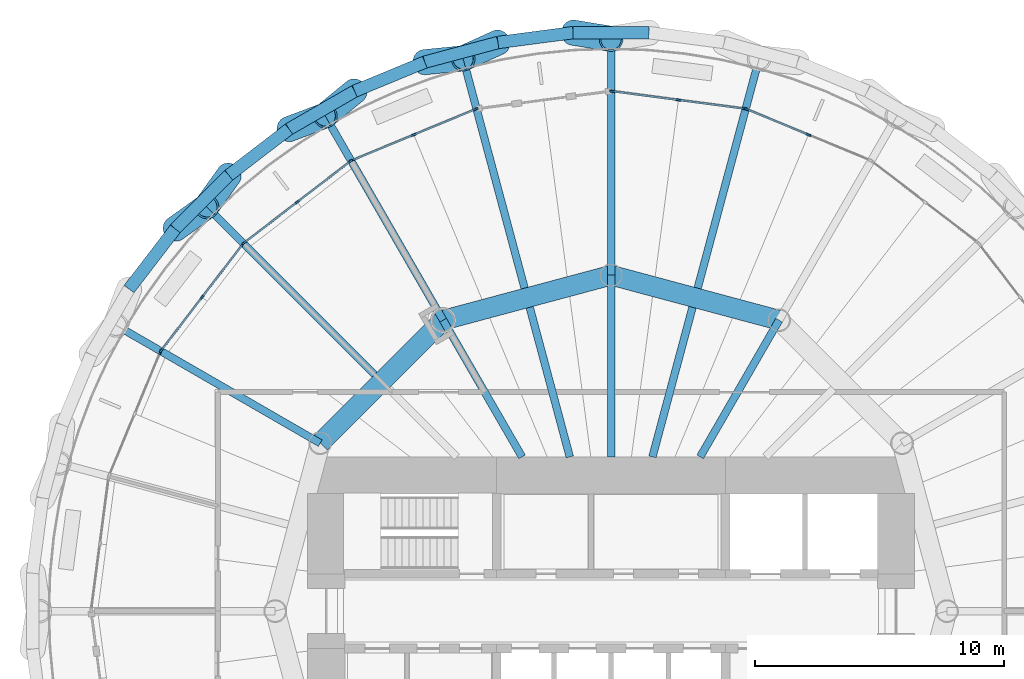
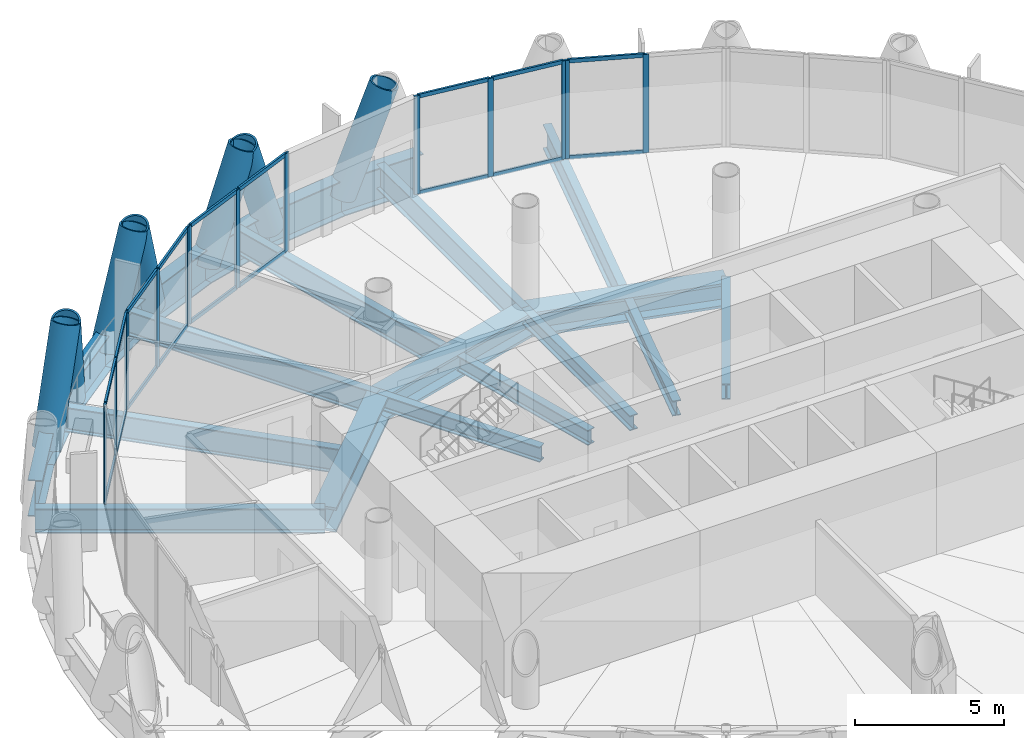
# One storey, part 6 of 14: 40 members, 22 beams, 6 elements without a shape of their own.
"""IFC4 building model written with IfcOpenShell, lengths in metres."""

from ifc_helpers import new_model, si_unit, direction, frame, origin, origin_2d, place, context, subcontext, project, spatial, rectangle, hollow_circle, i_section, extrude, material, material_profile, profile_set, type_object, element, aggregate, save


model = new_model("IFC4")

# Units and contexts
model_context = context("Model", 3, precision=1e-05, world=origin(), true_north=direction((0.0, 1.0)))
body_context = subcontext(model_context, "Body", "Model", "MODEL_VIEW")
ifc_project = project(units=[si_unit("LENGTHUNIT", "METRE"), si_unit("AREAUNIT", "SQUARE_METRE"), si_unit("VOLUMEUNIT", "CUBIC_METRE"), si_unit("PLANEANGLEUNIT", "RADIAN"), si_unit("MASSUNIT", "GRAM", prefix="KILO")], contexts=[model_context])

# Site, building, storey
site_placement = place(None, origin())
site = spatial("IfcSite", under=ifc_project, at=site_placement, CompositionType="ELEMENT")
building_placement = place(site_placement, origin())
building = spatial("IfcBuilding", under=site, at=building_placement, Name="Qaws Media Tower", CompositionType="ELEMENT")
storey_placement = place(building_placement, frame((0.0, 0.0, 206.60009765625)))
storey = spatial("IfcBuildingStorey", under=building, at=storey_placement, Name="L47", CompositionType="ELEMENT", Elevation=206.60009765625)

# Curtain wall, members
ifc_material_1 = material(Name="Aluminium and clear glass", Category="aluminium")
curtain_wall_type = type_object("IfcCurtainWallType", Name="Unitised curtain wall CW-C", PredefinedType="NOTDEFINED", material=ifc_material_1)
curtain_wall_1_placement = place(storey_placement, origin())
curtain_wall_1 = element("IfcCurtainWall", 1, at=curtain_wall_1_placement, inside=storey, type_object=curtain_wall_type, Name="CWC curtain wall L47-05", PredefinedType="NOTDEFINED")
ifc_material_2 = material(Name="Aluminium mullion", Category="aluminium")
ifc_material_profile_1 = material_profile(ifc_material_2, rectangle(XDim=0.080078125, YDim=0.199951171875, at=origin_2d()), Name="80x200")
ifc_profile_set_1 = profile_set([ifc_material_profile_1], Name="Aluminium mullion")
member_type_1 = type_object("IfcMemberType", Name="Curtain wall mullion 80x200", PredefinedType="MULLION", material=ifc_profile_set_1)
member_1_placement = place(storey_placement, frame((67.9296875, 69.143798828125, 0.0), z_axis=(0.0, 0.0, 1.0), x_axis=(-0.382683456149, -0.92387952266, 0.0)))
member_1 = element("IfcMember", 2, at=member_1_placement, type_object=member_type_1, Name="CWC mullion 2", PredefinedType="MULLION", context=body_context, shape_type="SweptSolid", body=[
    extrude(rectangle(XDim=0.080078125, YDim=0.199951171875, at=origin_2d()), origin(), (0.0, 0.0, 1.0), 4.039794921875),
])
member_2_placement = place(storey_placement, frame((65.4462890625, 70.172607421875, 0.0), z_axis=(0.0, 0.0, 1.0), x_axis=(-0.382683456149, -0.92387952266, 0.0)))
member_2 = element("IfcMember", 3, at=member_2_placement, type_object=member_type_1, Name="CWC mullion 3", PredefinedType="MULLION", context=body_context, shape_type="SweptSolid", body=[
    extrude(rectangle(XDim=0.080078125, YDim=0.199951171875, at=origin_2d()), origin(), (0.0, 0.0, 1.0), 4.039794921875),
])

curtain_wall_2_placement = place(storey_placement, origin())
curtain_wall_2 = element("IfcCurtainWall", 4, at=curtain_wall_2_placement, inside=storey, type_object=curtain_wall_type, Name="CWC curtain wall L47-06", PredefinedType="NOTDEFINED")
member_3_placement = place(storey_placement, frame((65.36962890625, 70.193115234375, 0.0), z_axis=(0.0, 0.0, 1.0), x_axis=(-0.130526151694, -0.991444866709, 0.0)))
member_3 = element("IfcMember", 5, at=member_3_placement, type_object=member_type_1, Name="CWC mullion 1", PredefinedType="MULLION", context=body_context, shape_type="SweptSolid", body=[
    extrude(rectangle(XDim=0.080078125, YDim=0.199951171875, at=origin_2d()), origin(), (0.0, 0.0, 1.0), 4.039794921875),
])
member_4_placement = place(storey_placement, frame((62.70458984375, 70.5439453125, 0.0), z_axis=(0.0, 0.0, 1.0), x_axis=(-0.130526151694, -0.991444866709, 0.0)))
member_4 = element("IfcMember", 6, at=member_4_placement, type_object=member_type_1, Name="CWC mullion 2", PredefinedType="MULLION", context=body_context, shape_type="SweptSolid", body=[
    extrude(rectangle(XDim=0.080078125, YDim=0.199951171875, at=origin_2d()), origin(), (0.0, 0.0, 1.0), 4.039794921875),
])
member_5_placement = place(storey_placement, frame((60.03955078125, 70.894775390625, 0.0), z_axis=(0.0, 0.0, 1.0), x_axis=(-0.130526151694, -0.991444866709, 0.0)))
member_5 = element("IfcMember", 7, at=member_5_placement, type_object=member_type_1, Name="CWC mullion 3", PredefinedType="MULLION", context=body_context, shape_type="SweptSolid", body=[
    extrude(rectangle(XDim=0.080078125, YDim=0.199951171875, at=origin_2d()), origin(), (0.0, 0.0, 1.0), 4.039794921875),
])

curtain_wall_3_placement = place(storey_placement, origin())
curtain_wall_3 = element("IfcCurtainWall", 8, at=curtain_wall_3_placement, inside=storey, type_object=curtain_wall_type, Name="CWC curtain wall L47-08", PredefinedType="NOTDEFINED")
member_6_placement = place(storey_placement, frame((54.5537109375, 70.172607421875, 0.0), z_axis=(0.0, 0.0, 1.0), x_axis=(0.382683456149, -0.92387952266, 0.0)))
member_6 = element("IfcMember", 9, at=member_6_placement, type_object=member_type_1, Name="CWC mullion 1", PredefinedType="MULLION", context=body_context, shape_type="SweptSolid", body=[
    extrude(rectangle(XDim=0.080078125, YDim=0.199951171875, at=origin_2d()), origin(), (0.0, 0.0, 1.0), 4.039794921875),
])
member_7_placement = place(storey_placement, frame((52.0703125, 69.143798828125, 0.0), z_axis=(0.0, 0.0, 1.0), x_axis=(0.382683456149, -0.92387952266, 0.0)))
member_7 = element("IfcMember", 10, at=member_7_placement, type_object=member_type_1, Name="CWC mullion 2", PredefinedType="MULLION", context=body_context, shape_type="SweptSolid", body=[
    extrude(rectangle(XDim=0.080078125, YDim=0.199951171875, at=origin_2d()), origin(), (0.0, 0.0, 1.0), 4.039794921875),
])
member_8_placement = place(storey_placement, frame((49.5869140625, 68.115234375, 0.0), z_axis=(0.0, 0.0, 1.0), x_axis=(0.382683456149, -0.92387952266, 0.0)))
member_8 = element("IfcMember", 11, at=member_8_placement, type_object=member_type_1, Name="CWC mullion 3", PredefinedType="MULLION", context=body_context, shape_type="SweptSolid", body=[
    extrude(rectangle(XDim=0.080078125, YDim=0.199951171875, at=origin_2d()), origin(), (0.0, 0.0, 1.0), 4.039794921875),
])

curtain_wall_4_placement = place(storey_placement, origin())
curtain_wall_4 = element("IfcCurtainWall", 12, at=curtain_wall_4_placement, inside=storey, type_object=curtain_wall_type, Name="CWC curtain wall L47-09", PredefinedType="NOTDEFINED")
member_9_placement = place(storey_placement, frame((49.518310546875, 68.07568359375, 0.0), z_axis=(0.0, 0.0, 1.0), x_axis=(0.608761380338, -0.793353377638, 0.0)))
member_9 = element("IfcMember", 13, at=member_9_placement, type_object=member_type_1, Name="CWC mullion 1", PredefinedType="MULLION", context=body_context, shape_type="SweptSolid", body=[
    extrude(rectangle(XDim=0.080078125, YDim=0.199951171875, at=origin_2d()), origin(), (0.0, 0.0, 1.0), 4.039794921875),
])
member_10_placement = place(storey_placement, frame((47.3857421875, 66.439208984375, 0.0), z_axis=(0.0, 0.0, 1.0), x_axis=(0.608761380338, -0.793353377638, 0.0)))
member_10 = element("IfcMember", 14, at=member_10_placement, type_object=member_type_1, Name="CWC mullion 2", PredefinedType="MULLION", context=body_context, shape_type="SweptSolid", body=[
    extrude(rectangle(XDim=0.080078125, YDim=0.199951171875, at=origin_2d()), origin(), (0.0, 0.0, 1.0), 4.039794921875),
])
member_11_placement = place(storey_placement, frame((45.253173828125, 64.802978515625, 0.0), z_axis=(0.0, 0.0, 1.0), x_axis=(0.608761380338, -0.793353377638, 0.0)))
member_11 = element("IfcMember", 15, at=member_11_placement, type_object=member_type_1, Name="CWC mullion 3", PredefinedType="MULLION", context=body_context, shape_type="SweptSolid", body=[
    extrude(rectangle(XDim=0.080078125, YDim=0.199951171875, at=origin_2d()), origin(), (0.0, 0.0, 1.0), 4.039794921875),
])

curtain_wall_5_placement = place(storey_placement, origin())
curtain_wall_5 = element("IfcCurtainWall", 16, at=curtain_wall_5_placement, inside=storey, type_object=curtain_wall_type, Name="CWC curtain wall L47-10", PredefinedType="NOTDEFINED")
member_12_placement = place(storey_placement, frame((45.197021484375, 64.746826171875, 0.0), z_axis=(0.0, 0.0, 1.0), x_axis=(0.793353377638, -0.608761380338, 0.0)))
member_12 = element("IfcMember", 17, at=member_12_placement, type_object=member_type_1, Name="CWC mullion 1", PredefinedType="MULLION", context=body_context, shape_type="SweptSolid", body=[
    extrude(rectangle(XDim=0.080078125, YDim=0.199951171875, at=origin_2d()), origin(), (0.0, 0.0, 1.0), 4.039794921875),
])
member_13_placement = place(storey_placement, frame((43.560791015625, 62.6142578125, 0.0), z_axis=(0.0, 0.0, 1.0), x_axis=(0.793353377638, -0.608761380338, 0.0)))
member_13 = element("IfcMember", 18, at=member_13_placement, type_object=member_type_1, Name="CWC mullion 2", PredefinedType="MULLION", context=body_context, shape_type="SweptSolid", body=[
    extrude(rectangle(XDim=0.080078125, YDim=0.199951171875, at=origin_2d()), origin(), (0.0, 0.0, 1.0), 4.039794921875),
])
member_14_placement = place(storey_placement, frame((41.92431640625, 60.481689453125, 0.0), z_axis=(0.0, 0.0, 1.0), x_axis=(0.793353377638, -0.608761380338, 0.0)))
member_14 = element("IfcMember", 19, at=member_14_placement, type_object=member_type_1, Name="CWC mullion 3", PredefinedType="MULLION", context=body_context, shape_type="SweptSolid", body=[
    extrude(rectangle(XDim=0.080078125, YDim=0.199951171875, at=origin_2d()), origin(), (0.0, 0.0, 1.0), 4.039794921875),
])

# Curtain wall, member
curtain_wall_6_placement = place(storey_placement, origin())
curtain_wall_6 = element("IfcCurtainWall", 20, at=curtain_wall_6_placement, inside=storey, type_object=curtain_wall_type, Name="CWC curtain wall L47-11", PredefinedType="NOTDEFINED")
member_15_placement = place(storey_placement, frame((41.884765625, 60.4130859375, 0.0), z_axis=(0.0, 0.0, 1.0), x_axis=(0.92387952266, -0.382683456149, 0.0)))
member_15 = element("IfcMember", 21, at=member_15_placement, type_object=member_type_1, Name="CWC mullion 1", PredefinedType="MULLION", context=body_context, shape_type="SweptSolid", body=[
    extrude(rectangle(XDim=0.080078125, YDim=0.199951171875, at=origin_2d()), origin(), (0.0, 0.0, 1.0), 4.039794921875),
])
aggregate(curtain_wall_6, [member_15])

# Member
ifc_material_3 = material(Name="Aluminium transom", Category="aluminium")
ifc_material_profile_2 = material_profile(ifc_material_3, rectangle(XDim=0.080078125, YDim=0.159912109375, at=origin_2d()), Name="80x160")
ifc_profile_set_2 = profile_set([ifc_material_profile_2], Name="Aluminium transom")
member_type_2 = type_object("IfcMemberType", Name="Curtain wall transom 80x160", PredefinedType="USERDEFINED", material=ifc_profile_set_2)
member_16_placement = place(storey_placement, frame((67.892822265625, 69.1591796875, 0.039794921875), z_axis=(-0.923889058869, 0.382660432893, 0.0), x_axis=(-0.382660432893, -0.923889058869, 0.0)))
member_16 = element("IfcMember", 22, at=member_16_placement, type_object=member_type_2, Name="CWC transom 2.1", ObjectType="TRANSOM", PredefinedType="USERDEFINED", context=body_context, shape_type="SweptSolid", body=[
    extrude(rectangle(XDim=0.080078125, YDim=0.159912109375, at=origin_2d()), origin(), (0.0, 0.0, 1.0), 2.608154296875),
])

member_17_placement = place(storey_placement, frame((67.892822265625, 69.1591796875, 4.0), z_axis=(-0.923889058869, 0.382660432893, 0.0), x_axis=(-0.382660432893, -0.923889058869, 0.0)))
member_17 = element("IfcMember", 23, at=member_17_placement, type_object=member_type_2, Name="CWC transom 2.2", ObjectType="TRANSOM", PredefinedType="USERDEFINED", context=body_context, shape_type="SweptSolid", body=[
    extrude(rectangle(XDim=0.080078125, YDim=0.159912109375, at=origin_2d()), origin(), (0.0, 0.0, 1.0), 2.608154296875),
])

aggregate(curtain_wall_1, [member_1, member_2, member_16, member_17])

member_18_placement = place(storey_placement, frame((65.330078125, 70.1982421875, 0.039794921875), z_axis=(-0.991436762367, 0.130587695544, 0.0), x_axis=(-0.130587695544, -0.991436762367, 0.0)))
member_18 = element("IfcMember", 24, at=member_18_placement, type_object=member_type_2, Name="CWC transom 1.1", ObjectType="TRANSOM", PredefinedType="USERDEFINED", context=body_context, shape_type="SweptSolid", body=[
    extrude(rectangle(XDim=0.080078125, YDim=0.159912109375, at=origin_2d()), origin(), (0.0, 0.0, 1.0), 2.60791015625),
])

member_19_placement = place(storey_placement, frame((65.330078125, 70.1982421875, 4.0), z_axis=(-0.991436762367, 0.130587695544, 0.0), x_axis=(-0.130587695544, -0.991436762367, 0.0)))
member_19 = element("IfcMember", 25, at=member_19_placement, type_object=member_type_2, Name="CWC transom 1.2", ObjectType="TRANSOM", PredefinedType="USERDEFINED", context=body_context, shape_type="SweptSolid", body=[
    extrude(rectangle(XDim=0.080078125, YDim=0.159912109375, at=origin_2d()), origin(), (0.0, 0.0, 1.0), 2.60791015625),
])

member_20_placement = place(storey_placement, frame((62.6650390625, 70.549072265625, 0.039794921875), z_axis=(-0.991436762367, 0.130587695544, 0.0), x_axis=(-0.130587695544, -0.991436762367, 0.0)))
member_20 = element("IfcMember", 26, at=member_20_placement, type_object=member_type_2, Name="CWC transom 2.1", ObjectType="TRANSOM", PredefinedType="USERDEFINED", context=body_context, shape_type="SweptSolid", body=[
    extrude(rectangle(XDim=0.080078125, YDim=0.159912109375, at=origin_2d()), origin(), (0.0, 0.0, 1.0), 2.60791015625),
])

member_21_placement = place(storey_placement, frame((62.6650390625, 70.549072265625, 4.0), z_axis=(-0.991436762367, 0.130587695544, 0.0), x_axis=(-0.130587695544, -0.991436762367, 0.0)))
member_21 = element("IfcMember", 27, at=member_21_placement, type_object=member_type_2, Name="CWC transom 2.2", ObjectType="TRANSOM", PredefinedType="USERDEFINED", context=body_context, shape_type="SweptSolid", body=[
    extrude(rectangle(XDim=0.080078125, YDim=0.159912109375, at=origin_2d()), origin(), (0.0, 0.0, 1.0), 2.60791015625),
])

aggregate(curtain_wall_2, [member_3, member_4, member_5, member_18, member_19, member_20, member_21])

member_22_placement = place(storey_placement, frame((54.516845703125, 70.1572265625, 0.039794921875), z_axis=(-0.923889058869, -0.382660432893, 0.0), x_axis=(0.382660432893, -0.923889058869, 0.0)))
member_22 = element("IfcMember", 28, at=member_22_placement, type_object=member_type_2, Name="CWC transom 1.1", ObjectType="TRANSOM", PredefinedType="USERDEFINED", context=body_context, shape_type="SweptSolid", body=[
    extrude(rectangle(XDim=0.080078125, YDim=0.159912109375, at=origin_2d()), origin(), (0.0, 0.0, 1.0), 2.608154296875),
])

member_23_placement = place(storey_placement, frame((54.516845703125, 70.1572265625, 4.0), z_axis=(-0.923889058869, -0.382660432893, 0.0), x_axis=(0.382660432893, -0.923889058869, 0.0)))
member_23 = element("IfcMember", 29, at=member_23_placement, type_object=member_type_2, Name="CWC transom 1.2", ObjectType="TRANSOM", PredefinedType="USERDEFINED", context=body_context, shape_type="SweptSolid", body=[
    extrude(rectangle(XDim=0.080078125, YDim=0.159912109375, at=origin_2d()), origin(), (0.0, 0.0, 1.0), 2.608154296875),
])

member_24_placement = place(storey_placement, frame((52.033447265625, 69.128662109375, 0.039794921875), z_axis=(-0.923875350489, -0.382693528503, 0.0), x_axis=(0.382693528503, -0.923875350489, 0.0)))
member_24 = element("IfcMember", 30, at=member_24_placement, type_object=member_type_2, Name="CWC transom 2.1", ObjectType="TRANSOM", PredefinedType="USERDEFINED", context=body_context, shape_type="SweptSolid", body=[
    extrude(rectangle(XDim=0.080078125, YDim=0.159912109375, at=origin_2d()), origin(), (0.0, 0.0, 1.0), 2.60791015625),
])

member_25_placement = place(storey_placement, frame((52.033447265625, 69.128662109375, 4.0), z_axis=(-0.923875350489, -0.382693528503, 0.0), x_axis=(0.382693528503, -0.923875350489, 0.0)))
member_25 = element("IfcMember", 31, at=member_25_placement, type_object=member_type_2, Name="CWC transom 2.2", ObjectType="TRANSOM", PredefinedType="USERDEFINED", context=body_context, shape_type="SweptSolid", body=[
    extrude(rectangle(XDim=0.080078125, YDim=0.159912109375, at=origin_2d()), origin(), (0.0, 0.0, 1.0), 2.60791015625),
])

aggregate(curtain_wall_3, [member_6, member_7, member_8, member_22, member_23, member_24, member_25])

member_26_placement = place(storey_placement, frame((49.486572265625, 68.05126953125, 0.039794921875), z_axis=(-0.793357690605, -0.608755759528, 0.0), x_axis=(0.608755759528, -0.793357690605, 0.0)))
member_26 = element("IfcMember", 32, at=member_26_placement, type_object=member_type_2, Name="CWC transom 1.1", ObjectType="TRANSOM", PredefinedType="USERDEFINED", context=body_context, shape_type="SweptSolid", body=[
    extrude(rectangle(XDim=0.080078125, YDim=0.159912109375, at=origin_2d()), origin(), (0.0, 0.0, 1.0), 2.60791015625),
])

member_27_placement = place(storey_placement, frame((49.486572265625, 68.05126953125, 4.0), z_axis=(-0.793357690605, -0.608755759528, 0.0), x_axis=(0.608755759528, -0.793357690605, 0.0)))
member_27 = element("IfcMember", 33, at=member_27_placement, type_object=member_type_2, Name="CWC transom 1.2", ObjectType="TRANSOM", PredefinedType="USERDEFINED", context=body_context, shape_type="SweptSolid", body=[
    extrude(rectangle(XDim=0.080078125, YDim=0.159912109375, at=origin_2d()), origin(), (0.0, 0.0, 1.0), 2.60791015625),
])

member_28_placement = place(storey_placement, frame((47.35400390625, 66.414794921875, 0.039794921875), z_axis=(-0.793357690605, -0.608755759528, 0.0), x_axis=(0.608755759528, -0.793357690605, 0.0)))
member_28 = element("IfcMember", 34, at=member_28_placement, type_object=member_type_2, Name="CWC transom 2.1", ObjectType="TRANSOM", PredefinedType="USERDEFINED", context=body_context, shape_type="SweptSolid", body=[
    extrude(rectangle(XDim=0.080078125, YDim=0.159912109375, at=origin_2d()), origin(), (0.0, 0.0, 1.0), 2.60791015625),
])

member_29_placement = place(storey_placement, frame((47.35400390625, 66.414794921875, 4.0), z_axis=(-0.793357690605, -0.608755759528, 0.0), x_axis=(0.608755759528, -0.793357690605, 0.0)))
member_29 = element("IfcMember", 35, at=member_29_placement, type_object=member_type_2, Name="CWC transom 2.2", ObjectType="TRANSOM", PredefinedType="USERDEFINED", context=body_context, shape_type="SweptSolid", body=[
    extrude(rectangle(XDim=0.080078125, YDim=0.159912109375, at=origin_2d()), origin(), (0.0, 0.0, 1.0), 2.60791015625),
])

aggregate(curtain_wall_4, [member_9, member_10, member_11, member_26, member_27, member_28, member_29])

member_30_placement = place(storey_placement, frame((45.1728515625, 64.715087890625, 0.039794921875), z_axis=(-0.608755759528, -0.793357690605, 0.0), x_axis=(0.793357690605, -0.608755759528, 0.0)))
member_30 = element("IfcMember", 36, at=member_30_placement, type_object=member_type_2, Name="CWC transom 1.1", ObjectType="TRANSOM", PredefinedType="USERDEFINED", context=body_context, shape_type="SweptSolid", body=[
    extrude(rectangle(XDim=0.080078125, YDim=0.159912109375, at=origin_2d()), origin(), (0.0, 0.0, 1.0), 2.60791015625),
])

member_31_placement = place(storey_placement, frame((45.1728515625, 64.715087890625, 4.0), z_axis=(-0.608755759528, -0.793357690605, 0.0), x_axis=(0.793357690605, -0.608755759528, 0.0)))
member_31 = element("IfcMember", 37, at=member_31_placement, type_object=member_type_2, Name="CWC transom 1.2", ObjectType="TRANSOM", PredefinedType="USERDEFINED", context=body_context, shape_type="SweptSolid", body=[
    extrude(rectangle(XDim=0.080078125, YDim=0.159912109375, at=origin_2d()), origin(), (0.0, 0.0, 1.0), 2.60791015625),
])

member_32_placement = place(storey_placement, frame((43.536376953125, 62.58251953125, 0.039794921875), z_axis=(-0.608755759528, -0.793357690605, 0.0), x_axis=(0.793357690605, -0.608755759528, 0.0)))
member_32 = element("IfcMember", 38, at=member_32_placement, type_object=member_type_2, Name="CWC transom 2.1", ObjectType="TRANSOM", PredefinedType="USERDEFINED", context=body_context, shape_type="SweptSolid", body=[
    extrude(rectangle(XDim=0.080078125, YDim=0.159912109375, at=origin_2d()), origin(), (0.0, 0.0, 1.0), 2.60791015625),
])

member_33_placement = place(storey_placement, frame((43.536376953125, 62.58251953125, 4.0), z_axis=(-0.608755759528, -0.793357690605, 0.0), x_axis=(0.793357690605, -0.608755759528, 0.0)))
member_33 = element("IfcMember", 39, at=member_33_placement, type_object=member_type_2, Name="CWC transom 2.2", ObjectType="TRANSOM", PredefinedType="USERDEFINED", context=body_context, shape_type="SweptSolid", body=[
    extrude(rectangle(XDim=0.080078125, YDim=0.159912109375, at=origin_2d()), origin(), (0.0, 0.0, 1.0), 2.60791015625),
])

aggregate(curtain_wall_5, [member_12, member_13, member_14, member_30, member_31, member_32, member_33])

# Members
ifc_material_4 = material(Name="Steel S460", Category="steel")
ifc_material_profile_3 = material_profile(ifc_material_4, hollow_circle(Radius=0.508056640625, WallThickness=0.070068359375, at=origin_2d()), Name="CHS 1016x70")
ifc_profile_set_3 = profile_set([ifc_material_profile_3], Name="Steel S460")
member_type_3 = type_object("IfcMemberType", Name="Diagrid member CHS 1016x70", PredefinedType="USERDEFINED", material=ifc_profile_set_3)
for number, where, z_axis, x_axis, name in (
    (40, (55.454345703125, 72.852294921875, -0.91015625), (-0.314474007821, -0.142124356415, 0.938566335279), (0.411836624979, -0.911257699186, 0.0), "DG3 diagrid L47 A07"),
    (41, (58.47607421875, 73.25, -0.91015625), (0.340552153241, -0.055867575283, 0.938564353124), (0.161886075134, 0.986809454088, 0.0), "DG3 diagrid L47 B07"),
    (42, (49.694580078125, 70.897216796875, -0.91015625), (-0.266955405454, -0.218671012683, 0.93857221337), (0.633676776351, -0.77359792083, 0.0), "DG3 diagrid L47 A08"),
    (43, (52.510498046875, 72.0634765625, -0.91015625), (0.343391645998, 0.034153665458, 0.938571097251), (-0.098971482221, 0.99509027013, 0.0), "DG3 diagrid L47 B08"),
    (44, (44.63720703125, 67.517822265625, -0.91015625), (-0.201266133248, -0.280321331697, 0.938569067572), (0.812310289856, -0.583225507839, 0.0), "DG3 diagrid L47 A09"),
    (45, (47.05517578125, 69.373291015625, -0.91015625), (0.322874178804, 0.121882547389, 0.938561084482), (-0.353166911029, 0.935560331007, 0.0), "DG3 diagrid L47 B09"),
    (46, (42.482177734375, 65.36279296875, -0.91015625), (0.280321331697, 0.201266133248, 0.938569067572), (-0.583225507839, 0.812310289856, 0.0), "DG3 diagrid L47 B10"),
):
    element("IfcMember", number, at=place(storey_placement, frame(where, z_axis=z_axis, x_axis=x_axis)), inside=storey, type_object=member_type_3, Name=name, ObjectType="DIAGRID", PredefinedType="USERDEFINED", context=body_context, shape_type="SweptSolid", body=[
        extrude(hollow_circle(Radius=0.508056640625, WallThickness=0.070068359375, at=origin_2d()), origin(), (0.0, 0.0, 1.0), 4.474853515625),
    ])

# Beams
ifc_material_5 = material(Name="Steel S460", Category="steel")
ifc_material_profile_4 = material_profile(ifc_material_5, i_section(OverallWidth=0.5, OverallDepth=1.5, WebThickness=0.02001953125, FlangeThickness=0.0400390625, at=origin_2d()), Name="PG 1500x500")
ifc_profile_set_4 = profile_set([ifc_material_profile_4], Name="Steel S460")
beam_type_1 = type_object("IfcBeamType", Name="Edge ring beam PG 1500x500", PredefinedType="BEAM", material=ifc_profile_set_4)
for number, where, z_axis, x_axis, name in (
    (47, (61.52392578125, 73.25, -0.91015625), (-1.0, 0.0, 0.0), (0.0, -1.0, 0.0), "RB4 edge ring beam L47-12"),
    (48, (58.47607421875, 73.25, -0.91015625), (-0.991449659888, -0.130489738706, 0.0), (0.130489738706, -0.991449659888, 0.0), "RB4 edge ring beam L47-13"),
):
    element("IfcBeam", number, at=place(storey_placement, frame(where, z_axis=z_axis, x_axis=x_axis)), inside=storey, type_object=beam_type_1, Name=name, PredefinedType="BEAM", context=body_context, shape_type="SweptSolid", body=[
        extrude(i_section(OverallWidth=0.5, OverallDepth=1.5, WebThickness=0.02001953125, FlangeThickness=0.0400390625, at=origin_2d()), origin(), (0.0, 0.0, 1.0), 3.0478515625),
    ])
beam_1_placement = place(storey_placement, frame((55.454345703125, 72.852294921875, -0.91015625), z_axis=(-0.965924451694, -0.258824175106, 0.0), x_axis=(0.258824175106, -0.965924451694, 0.0)))
element("IfcBeam", 49, at=beam_1_placement, inside=storey, type_object=beam_type_1, Name="RB4 edge ring beam L47-14", PredefinedType="BEAM", context=body_context, shape_type="SweptSolid", body=[
    extrude(i_section(OverallWidth=0.5, OverallDepth=1.5, WebThickness=0.02001953125, FlangeThickness=0.0400390625, at=origin_2d()), origin(), (0.0, 0.0, 1.0), 3.047607421875),
])
for number, where, z_axis, x_axis, name in (
    (50, (52.510498046875, 72.0634765625, -0.91015625), (-0.923894802877, -0.382646564361, 0.0), (0.382646564361, -0.923894802877, 0.0), "RB4 edge ring beam L47-15"),
    (51, (49.694580078125, 70.897216796875, -0.91015625), (-0.866016168704, -0.500015995287, 0.0), (0.500015995287, -0.866016168704, 0.0), "RB4 edge ring beam L47-16"),
    (52, (47.05517578125, 69.373291015625, -0.91015625), (-0.793338116406, -0.608781268648, 0.0), (0.608781268648, -0.793338116406, 0.0), "RB4 edge ring beam L47-17"),
):
    element("IfcBeam", number, at=place(storey_placement, frame(where, z_axis=z_axis, x_axis=x_axis)), inside=storey, type_object=beam_type_1, Name=name, PredefinedType="BEAM", context=body_context, shape_type="SweptSolid", body=[
        extrude(i_section(OverallWidth=0.5, OverallDepth=1.5, WebThickness=0.02001953125, FlangeThickness=0.0400390625, at=origin_2d()), origin(), (0.0, 0.0, 1.0), 3.0478515625),
    ])
beam_2_placement = place(storey_placement, frame((44.63720703125, 67.517822265625, -0.91015625), z_axis=(-0.707106781187, -0.707106781187, 0.0), x_axis=(0.707106781187, -0.707106781187, 0.0)))
element("IfcBeam", 53, at=beam_2_placement, inside=storey, type_object=beam_type_1, Name="RB4 edge ring beam L47-18", PredefinedType="BEAM", context=body_context, shape_type="SweptSolid", body=[
    extrude(i_section(OverallWidth=0.5, OverallDepth=1.5, WebThickness=0.02001953125, FlangeThickness=0.0400390625, at=origin_2d()), origin(), (0.0, 0.0, 1.0), 3.047607421875),
])
beam_3_placement = place(storey_placement, frame((42.482177734375, 65.36279296875, -0.91015625), z_axis=(-0.608781268648, -0.793338116406, 0.0), x_axis=(0.793338116406, -0.608781268648, 0.0)))
element("IfcBeam", 54, at=beam_3_placement, inside=storey, type_object=beam_type_1, Name="RB4 edge ring beam L47-19", PredefinedType="BEAM", context=body_context, shape_type="SweptSolid", body=[
    extrude(i_section(OverallWidth=0.5, OverallDepth=1.5, WebThickness=0.02001953125, FlangeThickness=0.0400390625, at=origin_2d()), origin(), (0.0, 0.0, 1.0), 3.0478515625),
])
ifc_material_6 = material(Name="Steel S460", Category="steel")
ifc_material_profile_5 = material_profile(ifc_material_6, i_section(OverallWidth=0.800048828125, OverallDepth=1.0, WebThickness=0.0400390625, FlangeThickness=0.10009765625, at=origin_2d()), Name="PG 1000x800")
ifc_profile_set_5 = profile_set([ifc_material_profile_5], Name="Steel S460")
beam_type_2 = type_object("IfcBeamType", Name="Inner ring girder PG 1000x800", PredefinedType="BEAM", material=ifc_profile_set_5)
for number, where, z_axis, x_axis, name in (
    (55, (66.75, 61.69140625, -0.66015625), (-0.965928090778, 0.258810593767, 0.0), (-0.258810593767, -0.965928090778, 0.0), "B3 inner ring beam L47 I03-I04"),
    (56, (60.0, 63.5, -0.66015625), (-0.965928090778, -0.258810593767, 0.0), (0.258810593767, -0.965928090778, 0.0), "B3 inner ring beam L47 I04-I05"),
):
    element("IfcBeam", number, at=place(storey_placement, frame(where, z_axis=z_axis, x_axis=x_axis)), inside=storey, type_object=beam_type_2, Name=name, PredefinedType="BEAM", context=body_context, shape_type="SweptSolid", body=[
        extrude(i_section(OverallWidth=0.800048828125, OverallDepth=1.0, WebThickness=0.0400390625, FlangeThickness=0.10009765625, at=origin_2d()), origin(), (0.0, 0.0, 1.0), 6.988037109375),
    ])
beam_4_placement = place(storey_placement, frame((53.25, 61.69140625, -0.66015625), z_axis=(-0.707106781187, -0.707106781187, 0.0), x_axis=(0.707106781187, -0.707106781187, 0.0)))
element("IfcBeam", 57, at=beam_4_placement, inside=storey, type_object=beam_type_2, Name="B3 inner ring beam L47 I05-I06", PredefinedType="BEAM", context=body_context, shape_type="SweptSolid", body=[
    extrude(i_section(OverallWidth=0.800048828125, OverallDepth=1.0, WebThickness=0.0400390625, FlangeThickness=0.10009765625, at=origin_2d()), origin(), (0.0, 0.0, 1.0), 6.98828125),
])
ifc_material_7 = material(Name="Steel S355", Category="steel")
ifc_material_profile_6 = material_profile(ifc_material_7, i_section(OverallWidth=0.302001953125, OverallDepth=1.008056640625, WebThickness=0.02099609375, FlangeThickness=0.0400390625, FilletRadius=0.030029296875, at=origin_2d()), Name="HE 1000 M")
ifc_profile_set_6 = profile_set([ifc_material_profile_6], Name="Steel S355")
beam_type_3 = type_object("IfcBeamType", Name="Radial beam HE 1000 M", PredefinedType="BEAM", material=ifc_profile_set_6)
beam_5_placement = place(storey_placement, frame((63.478515625, 62.98193359375, -0.6640625), z_axis=(0.258821088287, 0.965925278817, 0.0), x_axis=(-0.965925278817, 0.258821088287, 0.0)))
element("IfcBeam", 58, at=beam_5_placement, inside=storey, type_object=beam_type_3, Name="B1 radial beam L47 06", PredefinedType="BEAM", context=body_context, shape_type="SweptSolid", body=[
    extrude(i_section(OverallWidth=0.302001953125, OverallDepth=1.008056640625, WebThickness=0.02099609375, FlangeThickness=0.0400390625, FilletRadius=0.030029296875, at=origin_2d()), origin(), (0.0, 0.0, 1.0), 9.81005859375),
])
beam_6_placement = place(storey_placement, frame((60.0, 63.5, -0.6640625), z_axis=(0.0, 1.0, 0.0), x_axis=(-1.0, 0.0, 0.0)))
element("IfcBeam", 59, at=beam_6_placement, inside=storey, type_object=beam_type_3, Name="B1 radial beam L47 07", PredefinedType="BEAM", context=body_context, shape_type="SweptSolid", body=[
    extrude(i_section(OverallWidth=0.302001953125, OverallDepth=1.008056640625, WebThickness=0.02099609375, FlangeThickness=0.0400390625, FilletRadius=0.030029296875, at=origin_2d()), origin(), (0.0, 0.0, 1.0), 9.75),
])
beam_7_placement = place(storey_placement, frame((56.521484375, 62.98193359375, -0.6640625), z_axis=(-0.258821088287, 0.965925278817, 0.0), x_axis=(-0.965925278817, -0.258821088287, 0.0)))
element("IfcBeam", 60, at=beam_7_placement, inside=storey, type_object=beam_type_3, Name="B1 radial beam L47 08", PredefinedType="BEAM", context=body_context, shape_type="SweptSolid", body=[
    extrude(i_section(OverallWidth=0.302001953125, OverallDepth=1.008056640625, WebThickness=0.02099609375, FlangeThickness=0.0400390625, FilletRadius=0.030029296875, at=origin_2d()), origin(), (0.0, 0.0, 1.0), 9.81005859375),
])
beam_8_placement = place(storey_placement, frame((53.25, 61.69140625, -0.6640625), z_axis=(-0.499995560238, 0.866027967067, 0.0), x_axis=(-0.866027967067, -0.499995560238, 0.0)))
element("IfcBeam", 61, at=beam_8_placement, inside=storey, type_object=beam_type_3, Name="B1 radial beam L47 09", PredefinedType="BEAM", context=body_context, shape_type="SweptSolid", body=[
    extrude(i_section(OverallWidth=0.302001953125, OverallDepth=1.008056640625, WebThickness=0.02099609375, FlangeThickness=0.0400390625, FilletRadius=0.030029296875, at=origin_2d()), origin(), (0.0, 0.0, 1.0), 9.75),
])
beam_9_placement = place(storey_placement, frame((50.49658203125, 59.50341796875, -0.6640625), z_axis=(-0.707106781187, 0.707106781187, 0.0), x_axis=(-0.707106781187, -0.707106781187, 0.0)))
element("IfcBeam", 62, at=beam_9_placement, inside=storey, type_object=beam_type_3, Name="B1 radial beam L47 10", PredefinedType="BEAM", context=body_context, shape_type="SweptSolid", body=[
    extrude(i_section(OverallWidth=0.302001953125, OverallDepth=1.008056640625, WebThickness=0.02099609375, FlangeThickness=0.0400390625, FilletRadius=0.030029296875, at=origin_2d()), origin(), (0.0, 0.0, 1.0), 9.810302734375),
])
beam_10_placement = place(storey_placement, frame((48.30859375, 56.75, -0.6640625), z_axis=(-0.866027967067, 0.499995560238, 0.0), x_axis=(-0.499995560238, -0.866027967067, 0.0)))
element("IfcBeam", 63, at=beam_10_placement, inside=storey, type_object=beam_type_3, Name="B1 radial beam L47 11", PredefinedType="BEAM", context=body_context, shape_type="SweptSolid", body=[
    extrude(i_section(OverallWidth=0.302001953125, OverallDepth=1.008056640625, WebThickness=0.02099609375, FlangeThickness=0.0400390625, FilletRadius=0.030029296875, at=origin_2d()), origin(), (0.0, 0.0, 1.0), 9.75),
])
ifc_material_8 = material(Name="Steel S355", Category="steel")
ifc_material_profile_7 = material_profile(ifc_material_8, i_section(OverallWidth=0.304931640625, OverallDepth=0.6201171875, WebThickness=0.02099609375, FlangeThickness=0.0400390625, FilletRadius=0.027099609375, at=origin_2d()), Name="HE 600 M")
ifc_profile_set_7 = profile_set([ifc_material_profile_7], Name="Steel S355")
beam_type_4 = type_object("IfcBeamType", Name="Radial beam HE 600 M, core side", PredefinedType="BEAM", material=ifc_profile_set_7)
beam_11_placement = place(storey_placement, frame((63.57958984375, 56.199951171875, -0.47021484375), z_axis=(0.499990193304, 0.866031065609, 0.0), x_axis=(-0.866031065609, 0.499990193304, 0.0)))
element("IfcBeam", 64, at=beam_11_placement, inside=storey, type_object=beam_type_4, Name="B2 radial beam L47 05", PredefinedType="BEAM", context=body_context, shape_type="SweptSolid", body=[
    extrude(i_section(OverallWidth=0.304931640625, OverallDepth=0.6201171875, WebThickness=0.02099609375, FlangeThickness=0.0400390625, FilletRadius=0.027099609375, at=origin_2d()), origin(), (0.0, 0.0, 1.0), 6.341064453125),
])
beam_12_placement = place(storey_placement, frame((61.661376953125, 56.199951171875, -0.47021484375), z_axis=(0.258808008719, 0.965928783412, 0.0), x_axis=(-0.965928783412, 0.258808008719, 0.0)))
element("IfcBeam", 65, at=beam_12_placement, inside=storey, type_object=beam_type_4, Name="B2 radial beam L47 06", PredefinedType="BEAM", context=body_context, shape_type="SweptSolid", body=[
    extrude(i_section(OverallWidth=0.304931640625, OverallDepth=0.6201171875, WebThickness=0.02099609375, FlangeThickness=0.0400390625, FilletRadius=0.027099609375, at=origin_2d()), origin(), (0.0, 0.0, 1.0), 6.22119140625),
])
beam_13_placement = place(storey_placement, frame((60.0, 56.199951171875, -0.47021484375), z_axis=(0.0, 1.0, 0.0), x_axis=(-1.0, 0.0, 0.0)))
element("IfcBeam", 66, at=beam_13_placement, inside=storey, type_object=beam_type_4, Name="B2 radial beam L47 07", PredefinedType="BEAM", context=body_context, shape_type="SweptSolid", body=[
    extrude(i_section(OverallWidth=0.304931640625, OverallDepth=0.6201171875, WebThickness=0.02099609375, FlangeThickness=0.0400390625, FilletRadius=0.027099609375, at=origin_2d()), origin(), (0.0, 0.0, 1.0), 7.300048828125),
])
beam_14_placement = place(storey_placement, frame((58.338623046875, 56.199951171875, -0.47021484375), z_axis=(-0.258808008719, 0.965928783412, 0.0), x_axis=(-0.965928783412, -0.258808008719, 0.0)))
element("IfcBeam", 67, at=beam_14_placement, inside=storey, type_object=beam_type_4, Name="B2 radial beam L47 08", PredefinedType="BEAM", context=body_context, shape_type="SweptSolid", body=[
    extrude(i_section(OverallWidth=0.304931640625, OverallDepth=0.6201171875, WebThickness=0.02099609375, FlangeThickness=0.0400390625, FilletRadius=0.027099609375, at=origin_2d()), origin(), (0.0, 0.0, 1.0), 6.22119140625),
])
beam_15_placement = place(storey_placement, frame((56.42041015625, 56.199951171875, -0.47021484375), z_axis=(-0.499990193304, 0.866031065609, 0.0), x_axis=(-0.866031065609, -0.499990193304, 0.0)))
element("IfcBeam", 68, at=beam_15_placement, inside=storey, type_object=beam_type_4, Name="B2 radial beam L47 09", PredefinedType="BEAM", context=body_context, shape_type="SweptSolid", body=[
    extrude(i_section(OverallWidth=0.304931640625, OverallDepth=0.6201171875, WebThickness=0.02099609375, FlangeThickness=0.0400390625, FilletRadius=0.027099609375, at=origin_2d()), origin(), (0.0, 0.0, 1.0), 6.341064453125),
])

save(model, "model.ifc")
